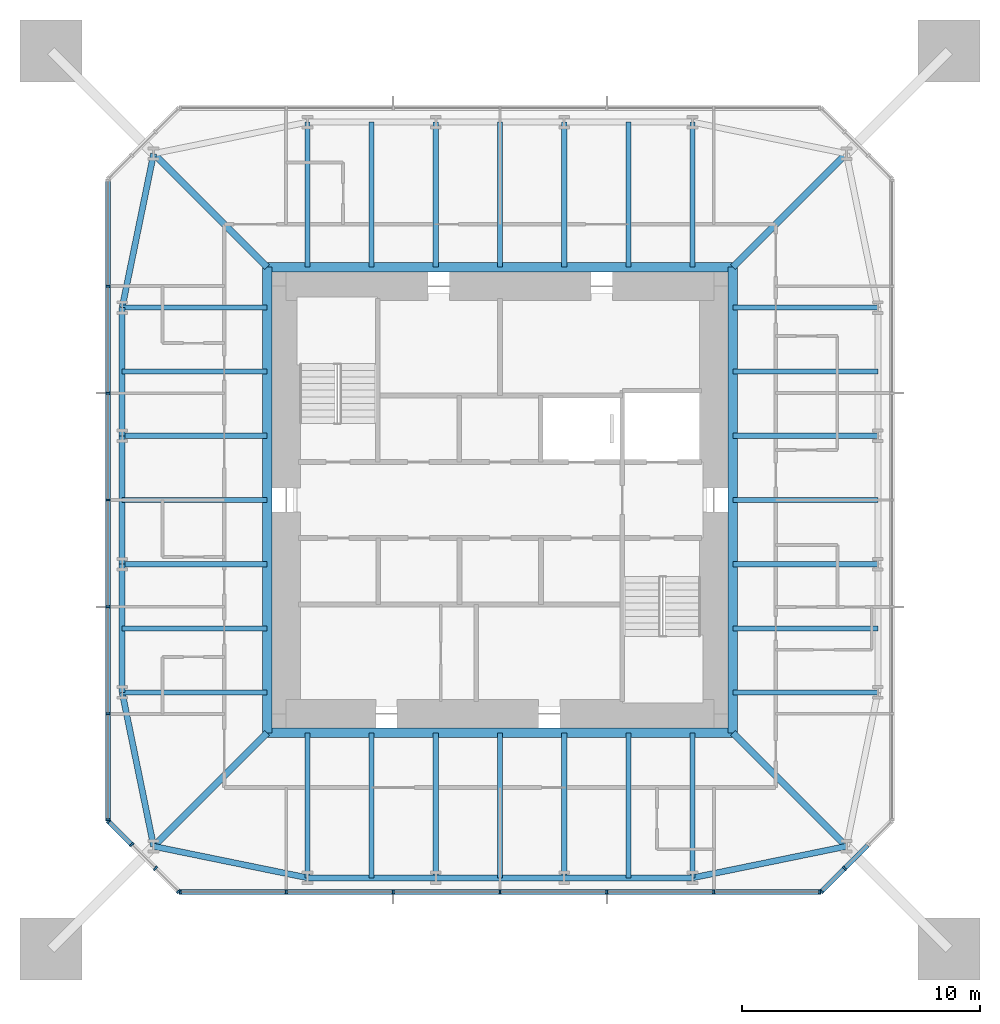
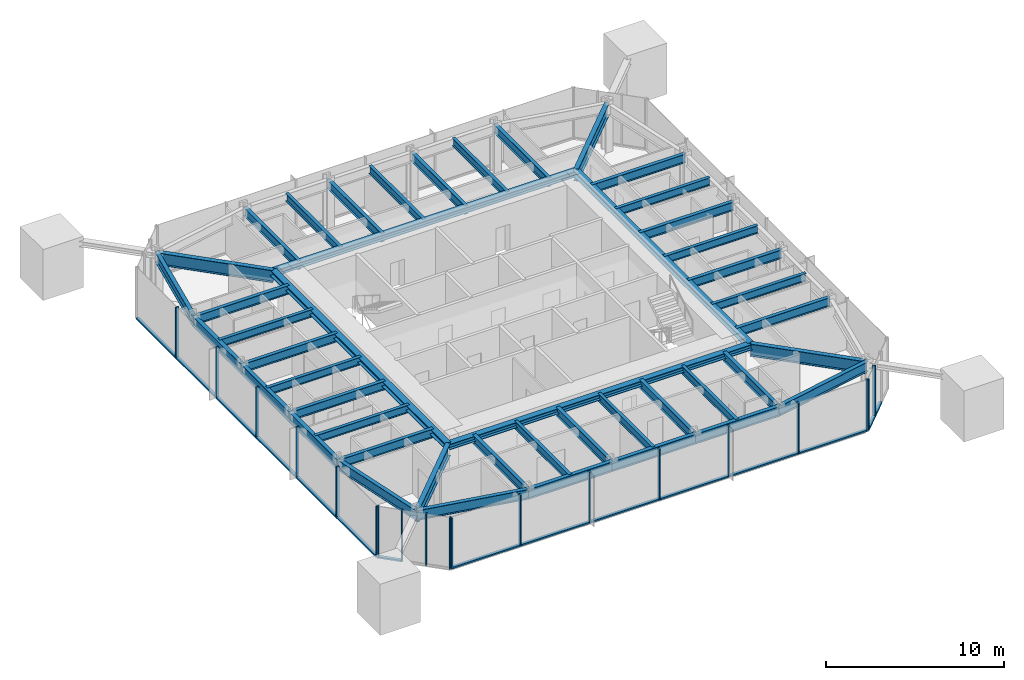
# One storey, part 2 of 9: 46 beams, 34 members, 4 elements without a shape of their own.
"""IFC4 building model written with IfcOpenShell, lengths in metres."""

from ifc_helpers import new_model, si_unit, direction, frame, origin, origin_2d, place, context, subcontext, project, spatial, rectangle, i_section, extrude, material, material_profile, profile_set, type_object, element, aggregate, save


model = new_model("IFC4")

# Units and contexts
model_context = context("Model", 3, precision=1e-05, world=origin(), true_north=direction((0.0, 1.0)))
body_context = subcontext(model_context, "Body", "Model", "MODEL_VIEW")
ifc_project = project(units=[si_unit("LENGTHUNIT", "METRE"), si_unit("AREAUNIT", "SQUARE_METRE"), si_unit("VOLUMEUNIT", "CUBIC_METRE"), si_unit("PLANEANGLEUNIT", "RADIAN"), si_unit("MASSUNIT", "GRAM", prefix="KILO")], contexts=[model_context])

# Site, building, storey
site_placement = place(None, origin())
site = spatial("IfcSite", under=ifc_project, at=site_placement, CompositionType="ELEMENT")
building_placement = place(site_placement, origin())
building = spatial("IfcBuilding", under=site, at=building_placement, Name="Iwan Alto Co-Living Towers", CompositionType="ELEMENT")
storey_placement = place(building_placement, frame((0.0, 0.0, 264.0)))
storey = spatial("IfcBuildingStorey", under=building, at=storey_placement, Name="L72", CompositionType="ELEMENT", Elevation=264.0)

# Curtain wall, members
ifc_material_1 = material(Name="Bronze aluminium unitised frame", Category="aluminium")
curtain_wall_type_1 = type_object("IfcCurtainWallType", Name="CURTAIN WALL CW-A", PredefinedType="NOTDEFINED", material=ifc_material_1)
curtain_wall_1_placement = place(storey_placement, origin())
curtain_wall_1 = element("IfcCurtainWall", 1, at=curtain_wall_1_placement, inside=storey, type_object=curtain_wall_type_1, Name="T1 curtain wall S L72", PredefinedType="NOTDEFINED")
ifc_material_2 = material(Name="Aluminium 6063-T6 bronze anodised", Category="aluminium")
ifc_material_profile_1 = material_profile(ifc_material_2, rectangle(XDim=0.199951171875, YDim=0.080078125, at=origin_2d()), Name="AL 80X200")
ifc_profile_set_1 = profile_set([ifc_material_profile_1], Name="Aluminium 6063-T6 bronze anodised")
member_type_1 = type_object("IfcMemberType", Name="CW-A MULLION 80X200", PredefinedType="MULLION", material=ifc_profile_set_1)
member_1_placement = place(storey_placement, frame((-13.4599609375, -16.5, 0.0), z_axis=(0.0, 0.0, 1.0), x_axis=(0.0, 1.0, 0.0)))
member_1 = element("IfcMember", 2, at=member_1_placement, type_object=member_type_1, Name="CW-A mullion 1", PredefinedType="MULLION", context=body_context, shape_type="SweptSolid", body=[
    extrude(rectangle(XDim=0.199951171875, YDim=0.080078125, at=origin_2d()), origin(), (0.0, 0.0, 1.0), 3.5),
])
member_2_placement = place(storey_placement, frame((-9.0, -16.5, 0.0), z_axis=(0.0, 0.0, 1.0), x_axis=(0.0, 1.0, 0.0)))
member_2 = element("IfcMember", 3, at=member_2_placement, type_object=member_type_1, Name="CW-A mullion 2", PredefinedType="MULLION", context=body_context, shape_type="SweptSolid", body=[
    extrude(rectangle(XDim=0.199951171875, YDim=0.080078125, at=origin_2d()), origin(), (0.0, 0.0, 1.0), 3.5),
])
member_3_placement = place(storey_placement, frame((-4.5, -16.5, 0.0), z_axis=(0.0, 0.0, 1.0), x_axis=(0.0, 1.0, 0.0)))
member_3 = element("IfcMember", 4, at=member_3_placement, type_object=member_type_1, Name="CW-A mullion 3", PredefinedType="MULLION", context=body_context, shape_type="SweptSolid", body=[
    extrude(rectangle(XDim=0.199951171875, YDim=0.080078125, at=origin_2d()), origin(), (0.0, 0.0, 1.0), 3.5),
])
member_4_placement = place(storey_placement, frame((0.0, -16.5, 0.0), z_axis=(0.0, 0.0, 1.0), x_axis=(0.0, 1.0, 0.0)))
member_4 = element("IfcMember", 5, at=member_4_placement, type_object=member_type_1, Name="CW-A mullion 4", PredefinedType="MULLION", context=body_context, shape_type="SweptSolid", body=[
    extrude(rectangle(XDim=0.199951171875, YDim=0.080078125, at=origin_2d()), origin(), (0.0, 0.0, 1.0), 3.5),
])
member_5_placement = place(storey_placement, frame((4.5, -16.5, 0.0), z_axis=(0.0, 0.0, 1.0), x_axis=(0.0, 1.0, 0.0)))
member_5 = element("IfcMember", 6, at=member_5_placement, type_object=member_type_1, Name="CW-A mullion 5", PredefinedType="MULLION", context=body_context, shape_type="SweptSolid", body=[
    extrude(rectangle(XDim=0.199951171875, YDim=0.080078125, at=origin_2d()), origin(), (0.0, 0.0, 1.0), 3.5),
])
member_6_placement = place(storey_placement, frame((9.0, -16.5, 0.0), z_axis=(0.0, 0.0, 1.0), x_axis=(0.0, 1.0, 0.0)))
member_6 = element("IfcMember", 7, at=member_6_placement, type_object=member_type_1, Name="CW-A mullion 6", PredefinedType="MULLION", context=body_context, shape_type="SweptSolid", body=[
    extrude(rectangle(XDim=0.199951171875, YDim=0.080078125, at=origin_2d()), origin(), (0.0, 0.0, 1.0), 3.5),
])
member_7_placement = place(storey_placement, frame((13.4599609375, -16.5, 0.0), z_axis=(0.0, 0.0, 1.0), x_axis=(0.0, 1.0, 0.0)))
member_7 = element("IfcMember", 8, at=member_7_placement, type_object=member_type_1, Name="CW-A mullion 7", PredefinedType="MULLION", context=body_context, shape_type="SweptSolid", body=[
    extrude(rectangle(XDim=0.199951171875, YDim=0.080078125, at=origin_2d()), origin(), (0.0, 0.0, 1.0), 3.5),
])

curtain_wall_2_placement = place(storey_placement, origin())
curtain_wall_2 = element("IfcCurtainWall", 9, at=curtain_wall_2_placement, inside=storey, type_object=curtain_wall_type_1, Name="T1 curtain wall W L72", PredefinedType="NOTDEFINED")
member_8_placement = place(storey_placement, frame((-16.5, 9.0, 0.0), z_axis=(0.0, 0.0, 1.0), x_axis=(1.0, 0.0, 0.0)))
member_8 = element("IfcMember", 10, at=member_8_placement, type_object=member_type_1, Name="CW-A mullion 2", PredefinedType="MULLION", context=body_context, shape_type="SweptSolid", body=[
    extrude(rectangle(XDim=0.199951171875, YDim=0.080078125, at=origin_2d()), origin(), (0.0, 0.0, 1.0), 3.5),
])
member_9_placement = place(storey_placement, frame((-16.5, 4.5, 0.0), z_axis=(0.0, 0.0, 1.0), x_axis=(1.0, 0.0, 0.0)))
member_9 = element("IfcMember", 11, at=member_9_placement, type_object=member_type_1, Name="CW-A mullion 3", PredefinedType="MULLION", context=body_context, shape_type="SweptSolid", body=[
    extrude(rectangle(XDim=0.199951171875, YDim=0.080078125, at=origin_2d()), origin(), (0.0, 0.0, 1.0), 3.5),
])
member_10_placement = place(storey_placement, frame((-16.5, 0.0, 0.0), z_axis=(0.0, 0.0, 1.0), x_axis=(1.0, 0.0, 0.0)))
member_10 = element("IfcMember", 12, at=member_10_placement, type_object=member_type_1, Name="CW-A mullion 4", PredefinedType="MULLION", context=body_context, shape_type="SweptSolid", body=[
    extrude(rectangle(XDim=0.199951171875, YDim=0.080078125, at=origin_2d()), origin(), (0.0, 0.0, 1.0), 3.5),
])
member_11_placement = place(storey_placement, frame((-16.5, -4.5, 0.0), z_axis=(0.0, 0.0, 1.0), x_axis=(1.0, 0.0, 0.0)))
member_11 = element("IfcMember", 13, at=member_11_placement, type_object=member_type_1, Name="CW-A mullion 5", PredefinedType="MULLION", context=body_context, shape_type="SweptSolid", body=[
    extrude(rectangle(XDim=0.199951171875, YDim=0.080078125, at=origin_2d()), origin(), (0.0, 0.0, 1.0), 3.5),
])
member_12_placement = place(storey_placement, frame((-16.5, -9.0, 0.0), z_axis=(0.0, 0.0, 1.0), x_axis=(1.0, 0.0, 0.0)))
member_12 = element("IfcMember", 14, at=member_12_placement, type_object=member_type_1, Name="CW-A mullion 6", PredefinedType="MULLION", context=body_context, shape_type="SweptSolid", body=[
    extrude(rectangle(XDim=0.199951171875, YDim=0.080078125, at=origin_2d()), origin(), (0.0, 0.0, 1.0), 3.5),
])
member_13_placement = place(storey_placement, frame((-16.5, -13.4599609375, 0.0), z_axis=(0.0, 0.0, 1.0), x_axis=(1.0, 0.0, 0.0)))
member_13 = element("IfcMember", 15, at=member_13_placement, type_object=member_type_1, Name="CW-A mullion 7", PredefinedType="MULLION", context=body_context, shape_type="SweptSolid", body=[
    extrude(rectangle(XDim=0.199951171875, YDim=0.080078125, at=origin_2d()), origin(), (0.0, 0.0, 1.0), 3.5),
])

# Member
ifc_material_3 = material(Name="Aluminium 6063-T6 bronze anodised", Category="aluminium")
ifc_material_profile_2 = material_profile(ifc_material_3, rectangle(XDim=0.199951171875, YDim=0.10009765625, at=origin_2d()), Name="AL 200X100")
ifc_profile_set_2 = profile_set([ifc_material_profile_2], Name="Aluminium 6063-T6 bronze anodised")
member_type_2 = type_object("IfcMemberType", Name="CW-A TRANSOM 200X100", PredefinedType="USERDEFINED", material=ifc_profile_set_2)
member_14_placement = place(storey_placement, frame((-13.419921875, -16.5, 0.050048828125), z_axis=(1.0, 0.0, 0.0), x_axis=(0.0, 1.0, 0.0)))
member_14 = element("IfcMember", 16, at=member_14_placement, type_object=member_type_2, Name="CW-A transom 1.1", ObjectType="TRANSOM", PredefinedType="USERDEFINED", context=body_context, shape_type="SweptSolid", body=[
    extrude(rectangle(XDim=0.199951171875, YDim=0.10009765625, at=origin_2d()), origin(), (0.0, 0.0, 1.0), 4.3798828125),
])

member_15_placement = place(storey_placement, frame((-8.9599609375, -16.5, 0.050048828125), z_axis=(1.0, 0.0, 0.0), x_axis=(0.0, 1.0, 0.0)))
member_15 = element("IfcMember", 17, at=member_15_placement, type_object=member_type_2, Name="CW-A transom 2.1", ObjectType="TRANSOM", PredefinedType="USERDEFINED", context=body_context, shape_type="SweptSolid", body=[
    extrude(rectangle(XDim=0.199951171875, YDim=0.10009765625, at=origin_2d()), origin(), (0.0, 0.0, 1.0), 4.419921875),
])

member_16_placement = place(storey_placement, frame((-4.4599609375, -16.5, 0.050048828125), z_axis=(1.0, 0.0, 0.0), x_axis=(0.0, 1.0, 0.0)))
member_16 = element("IfcMember", 18, at=member_16_placement, type_object=member_type_2, Name="CW-A transom 3.1", ObjectType="TRANSOM", PredefinedType="USERDEFINED", context=body_context, shape_type="SweptSolid", body=[
    extrude(rectangle(XDim=0.199951171875, YDim=0.10009765625, at=origin_2d()), origin(), (0.0, 0.0, 1.0), 4.419921875),
])

member_17_placement = place(storey_placement, frame((0.0400390625, -16.5, 0.050048828125), z_axis=(1.0, 0.0, 0.0), x_axis=(0.0, 1.0, 0.0)))
member_17 = element("IfcMember", 19, at=member_17_placement, type_object=member_type_2, Name="CW-A transom 4.1", ObjectType="TRANSOM", PredefinedType="USERDEFINED", context=body_context, shape_type="SweptSolid", body=[
    extrude(rectangle(XDim=0.199951171875, YDim=0.10009765625, at=origin_2d()), origin(), (0.0, 0.0, 1.0), 4.419921875),
])

member_18_placement = place(storey_placement, frame((4.5400390625, -16.5, 0.050048828125), z_axis=(1.0, 0.0, 0.0), x_axis=(0.0, 1.0, 0.0)))
member_18 = element("IfcMember", 20, at=member_18_placement, type_object=member_type_2, Name="CW-A transom 5.1", ObjectType="TRANSOM", PredefinedType="USERDEFINED", context=body_context, shape_type="SweptSolid", body=[
    extrude(rectangle(XDim=0.199951171875, YDim=0.10009765625, at=origin_2d()), origin(), (0.0, 0.0, 1.0), 4.419921875),
])

member_19_placement = place(storey_placement, frame((9.0400390625, -16.5, 0.050048828125), z_axis=(1.0, 0.0, 0.0), x_axis=(0.0, 1.0, 0.0)))
member_19 = element("IfcMember", 21, at=member_19_placement, type_object=member_type_2, Name="CW-A transom 6.1", ObjectType="TRANSOM", PredefinedType="USERDEFINED", context=body_context, shape_type="SweptSolid", body=[
    extrude(rectangle(XDim=0.199951171875, YDim=0.10009765625, at=origin_2d()), origin(), (0.0, 0.0, 1.0), 4.3798828125),
])

aggregate(curtain_wall_1, [member_1, member_2, member_3, member_4, member_5, member_6, member_7, member_14, member_15, member_16, member_17, member_18, member_19])

member_20_placement = place(storey_placement, frame((-16.5, 13.419921875, 0.050048828125), z_axis=(0.0, -1.0, 0.0), x_axis=(1.0, 0.0, 0.0)))
member_20 = element("IfcMember", 22, at=member_20_placement, type_object=member_type_2, Name="CW-A transom 1.1", ObjectType="TRANSOM", PredefinedType="USERDEFINED", context=body_context, shape_type="SweptSolid", body=[
    extrude(rectangle(XDim=0.199951171875, YDim=0.10009765625, at=origin_2d()), origin(), (0.0, 0.0, 1.0), 4.3798828125),
])

member_21_placement = place(storey_placement, frame((-16.5, 8.9599609375, 0.050048828125), z_axis=(0.0, -1.0, 0.0), x_axis=(1.0, 0.0, 0.0)))
member_21 = element("IfcMember", 23, at=member_21_placement, type_object=member_type_2, Name="CW-A transom 2.1", ObjectType="TRANSOM", PredefinedType="USERDEFINED", context=body_context, shape_type="SweptSolid", body=[
    extrude(rectangle(XDim=0.199951171875, YDim=0.10009765625, at=origin_2d()), origin(), (0.0, 0.0, 1.0), 4.419921875),
])

member_22_placement = place(storey_placement, frame((-16.5, 4.4599609375, 0.050048828125), z_axis=(0.0, -1.0, 0.0), x_axis=(1.0, 0.0, 0.0)))
member_22 = element("IfcMember", 24, at=member_22_placement, type_object=member_type_2, Name="CW-A transom 3.1", ObjectType="TRANSOM", PredefinedType="USERDEFINED", context=body_context, shape_type="SweptSolid", body=[
    extrude(rectangle(XDim=0.199951171875, YDim=0.10009765625, at=origin_2d()), origin(), (0.0, 0.0, 1.0), 4.419921875),
])

member_23_placement = place(storey_placement, frame((-16.5, -0.0400390625, 0.050048828125), z_axis=(0.0, -1.0, 0.0), x_axis=(1.0, 0.0, 0.0)))
member_23 = element("IfcMember", 25, at=member_23_placement, type_object=member_type_2, Name="CW-A transom 4.1", ObjectType="TRANSOM", PredefinedType="USERDEFINED", context=body_context, shape_type="SweptSolid", body=[
    extrude(rectangle(XDim=0.199951171875, YDim=0.10009765625, at=origin_2d()), origin(), (0.0, 0.0, 1.0), 4.419921875),
])

member_24_placement = place(storey_placement, frame((-16.5, -4.5400390625, 0.050048828125), z_axis=(0.0, -1.0, 0.0), x_axis=(1.0, 0.0, 0.0)))
member_24 = element("IfcMember", 26, at=member_24_placement, type_object=member_type_2, Name="CW-A transom 5.1", ObjectType="TRANSOM", PredefinedType="USERDEFINED", context=body_context, shape_type="SweptSolid", body=[
    extrude(rectangle(XDim=0.199951171875, YDim=0.10009765625, at=origin_2d()), origin(), (0.0, 0.0, 1.0), 4.419921875),
])

member_25_placement = place(storey_placement, frame((-16.5, -9.0400390625, 0.050048828125), z_axis=(0.0, -1.0, 0.0), x_axis=(1.0, 0.0, 0.0)))
member_25 = element("IfcMember", 27, at=member_25_placement, type_object=member_type_2, Name="CW-A transom 6.1", ObjectType="TRANSOM", PredefinedType="USERDEFINED", context=body_context, shape_type="SweptSolid", body=[
    extrude(rectangle(XDim=0.199951171875, YDim=0.10009765625, at=origin_2d()), origin(), (0.0, 0.0, 1.0), 4.3798828125),
])

aggregate(curtain_wall_2, [member_8, member_9, member_10, member_11, member_12, member_13, member_20, member_21, member_22, member_23, member_24, member_25])

# Curtain wall, members
ifc_material_4 = material(Name="Bronze aluminium unitised frame", Category="aluminium")
curtain_wall_type_2 = type_object("IfcCurtainWallType", Name="CURTAIN WALL CW-B", PredefinedType="NOTDEFINED", material=ifc_material_4)
curtain_wall_3_placement = place(storey_placement, origin())
curtain_wall_3 = element("IfcCurtainWall", 28, at=curtain_wall_3_placement, inside=storey, type_object=curtain_wall_type_2, Name="T1 chamfer curtain wall SE L72", PredefinedType="NOTDEFINED")
ifc_material_5 = material(Name="Aluminium 6063-T6 bronze anodised", Category="aluminium")
ifc_material_profile_3 = material_profile(ifc_material_5, rectangle(XDim=0.199951171875, YDim=0.080078125, at=origin_2d()), Name="AL 80X200")
ifc_profile_set_3 = profile_set([ifc_material_profile_3], Name="Aluminium 6063-T6 bronze anodised")
member_type_3 = type_object("IfcMemberType", Name="CW-B MULLION 80X200", PredefinedType="MULLION", material=ifc_profile_set_3)
member_26_placement = place(storey_placement, frame((13.5283203125, -16.4716796875, 0.0), z_axis=(0.0, 0.0, 1.0), x_axis=(-0.707106781187, 0.707106781187, 0.0)))
member_26 = element("IfcMember", 29, at=member_26_placement, type_object=member_type_3, Name="CW-B mullion 1", PredefinedType="MULLION", context=body_context, shape_type="SweptSolid", body=[
    extrude(rectangle(XDim=0.199951171875, YDim=0.080078125, at=origin_2d()), origin(), (0.0, 0.0, 1.0), 3.5),
])
member_27_placement = place(storey_placement, frame((14.5, -15.5, 0.0), z_axis=(0.0, 0.0, 1.0), x_axis=(-0.707106781187, 0.707106781187, 0.0)))
member_27 = element("IfcMember", 30, at=member_27_placement, type_object=member_type_3, Name="CW-B mullion 2", PredefinedType="MULLION", context=body_context, shape_type="SweptSolid", body=[
    extrude(rectangle(XDim=0.199951171875, YDim=0.080078125, at=origin_2d()), origin(), (0.0, 0.0, 1.0), 3.5),
])

curtain_wall_4_placement = place(storey_placement, origin())
curtain_wall_4 = element("IfcCurtainWall", 31, at=curtain_wall_4_placement, inside=storey, type_object=curtain_wall_type_2, Name="T1 chamfer curtain wall SW L72", PredefinedType="NOTDEFINED")
member_28_placement = place(storey_placement, frame((-16.4716796875, -13.5283203125, 0.0), z_axis=(0.0, 0.0, 1.0), x_axis=(0.707106781187, 0.707106781187, 0.0)))
member_28 = element("IfcMember", 32, at=member_28_placement, type_object=member_type_3, Name="CW-B mullion 1", PredefinedType="MULLION", context=body_context, shape_type="SweptSolid", body=[
    extrude(rectangle(XDim=0.199951171875, YDim=0.080078125, at=origin_2d()), origin(), (0.0, 0.0, 1.0), 3.5),
])
member_29_placement = place(storey_placement, frame((-15.5, -14.5, 0.0), z_axis=(0.0, 0.0, 1.0), x_axis=(0.707106781187, 0.707106781187, 0.0)))
member_29 = element("IfcMember", 33, at=member_29_placement, type_object=member_type_3, Name="CW-B mullion 2", PredefinedType="MULLION", context=body_context, shape_type="SweptSolid", body=[
    extrude(rectangle(XDim=0.199951171875, YDim=0.080078125, at=origin_2d()), origin(), (0.0, 0.0, 1.0), 3.5),
])
member_30_placement = place(storey_placement, frame((-14.5, -15.5, 0.0), z_axis=(0.0, 0.0, 1.0), x_axis=(0.707106781187, 0.707106781187, 0.0)))
member_30 = element("IfcMember", 34, at=member_30_placement, type_object=member_type_3, Name="CW-B mullion 3", PredefinedType="MULLION", context=body_context, shape_type="SweptSolid", body=[
    extrude(rectangle(XDim=0.199951171875, YDim=0.080078125, at=origin_2d()), origin(), (0.0, 0.0, 1.0), 3.5),
])
member_31_placement = place(storey_placement, frame((-13.5283203125, -16.4716796875, 0.0), z_axis=(0.0, 0.0, 1.0), x_axis=(0.707106781187, 0.707106781187, 0.0)))
member_31 = element("IfcMember", 35, at=member_31_placement, type_object=member_type_3, Name="CW-B mullion 4", PredefinedType="MULLION", context=body_context, shape_type="SweptSolid", body=[
    extrude(rectangle(XDim=0.199951171875, YDim=0.080078125, at=origin_2d()), origin(), (0.0, 0.0, 1.0), 3.5),
])

# Member
ifc_material_6 = material(Name="Aluminium 6063-T6 bronze anodised", Category="aluminium")
ifc_material_profile_4 = material_profile(ifc_material_6, rectangle(XDim=0.199951171875, YDim=0.10009765625, at=origin_2d()), Name="AL 200X100")
ifc_profile_set_4 = profile_set([ifc_material_profile_4], Name="Aluminium 6063-T6 bronze anodised")
member_type_4 = type_object("IfcMemberType", Name="CW-B TRANSOM 200X100", PredefinedType="USERDEFINED", material=ifc_profile_set_4)
member_32_placement = place(storey_placement, frame((13.556640625, -16.443359375, 0.050048828125), z_axis=(0.707106781187, 0.707106781187, 0.0), x_axis=(-0.707106781187, 0.707106781187, 0.0)))
member_32 = element("IfcMember", 36, at=member_32_placement, type_object=member_type_4, Name="CW-B transom 1.1", ObjectType="TRANSOM", PredefinedType="USERDEFINED", context=body_context, shape_type="SweptSolid", body=[
    extrude(rectangle(XDim=0.199951171875, YDim=0.10009765625, at=origin_2d()), origin(), (0.0, 0.0, 1.0), 1.2939453125),
])

member_33_placement = place(storey_placement, frame((14.5283203125, -15.4716796875, 0.050048828125), z_axis=(0.707106781187, 0.707106781187, 0.0), x_axis=(-0.707106781187, 0.707106781187, 0.0)))
member_33 = element("IfcMember", 37, at=member_33_placement, type_object=member_type_4, Name="CW-B transom 2.1", ObjectType="TRANSOM", PredefinedType="USERDEFINED", context=body_context, shape_type="SweptSolid", body=[
    extrude(rectangle(XDim=0.199951171875, YDim=0.10009765625, at=origin_2d()), origin(), (0.0, 0.0, 1.0), 1.334228515625),
])

aggregate(curtain_wall_3, [member_26, member_27, member_32, member_33])

member_34_placement = place(storey_placement, frame((-16.443359375, -13.556640625, 0.050048828125), z_axis=(0.707106781187, -0.707106781187, 0.0), x_axis=(0.707106781187, 0.707106781187, 0.0)))
member_34 = element("IfcMember", 38, at=member_34_placement, type_object=member_type_4, Name="CW-B transom 1.1", ObjectType="TRANSOM", PredefinedType="USERDEFINED", context=body_context, shape_type="SweptSolid", body=[
    extrude(rectangle(XDim=0.199951171875, YDim=0.10009765625, at=origin_2d()), origin(), (0.0, 0.0, 1.0), 1.2939453125),
])

aggregate(curtain_wall_4, [member_28, member_29, member_30, member_31, member_34])

# Beams
ifc_material_7 = material(Name="Steel ASTM A992 Gr 50", Category="steel")
ifc_material_profile_5 = material_profile(ifc_material_7, i_section(OverallWidth=0.398681640625, OverallDepth=0.385986328125, WebThickness=0.02099609375, FlangeThickness=0.033203125, at=origin_2d()), Name="W14X176")
ifc_profile_set_5 = profile_set([ifc_material_profile_5], Name="Steel ASTM A992 Gr 50")
beam_type_1 = type_object("IfcBeamType", Name="T1 CORE LEDGER BEAM W14X176", PredefinedType="BEAM", material=ifc_profile_set_5)
for number, where, z_axis, x_axis, name in (
    (39, (-9.79931640625, -9.79931640625, 3.056884765625), (1.0, 0.0, 0.0), (0.0, 1.0, 0.0), "T1 core ledger beam S RF"),
    (40, (9.79931640625, -9.79931640625, 3.056884765625), (0.0, 1.0, 0.0), (-1.0, 0.0, 0.0), "T1 core ledger beam E RF"),
    (41, (9.79931640625, 9.79931640625, 3.056884765625), (-1.0, 0.0, 0.0), (0.0, -1.0, 0.0), "T1 core ledger beam N RF"),
    (42, (-9.79931640625, 9.79931640625, 3.056884765625), (0.0, -1.0, 0.0), (1.0, 0.0, 0.0), "T1 core ledger beam W RF"),
):
    element("IfcBeam", number, at=place(storey_placement, frame(where, z_axis=z_axis, x_axis=x_axis)), inside=storey, type_object=beam_type_1, Name=name, PredefinedType="BEAM", context=body_context, shape_type="SweptSolid", body=[
        extrude(i_section(OverallWidth=0.398681640625, OverallDepth=0.385986328125, WebThickness=0.02099609375, FlangeThickness=0.033203125, at=origin_2d()), origin(), (0.0, 0.0, 1.0), 19.5986328125),
    ])
ifc_material_8 = material(Name="Steel ASTM A992 Gr 50", Category="steel")
ifc_material_profile_6 = material_profile(ifc_material_8, i_section(OverallWidth=0.2919921875, OverallDepth=0.8408203125, WebThickness=0.0146484375, FlangeThickness=0.021728515625, at=origin_2d()), Name="W33X130")
ifc_profile_set_6 = profile_set([ifc_material_profile_6], Name="Steel ASTM A992 Gr 50")
beam_type_2 = type_object("IfcBeamType", Name="T1 CORNER GIRDER W33X130", PredefinedType="BEAM", material=ifc_profile_set_6)
for number, where, z_axis, x_axis, name in (
    (43, (-14.57568359375, -14.57568359375, 2.82958984375), (0.707106781187, 0.707106781187, 0.0), (-0.707106781187, 0.707106781187, 0.0), "T1 corner girder CSW RF"),
    (44, (14.57568359375, -14.57568359375, 2.82958984375), (-0.707106781187, 0.707106781187, 0.0), (-0.707106781187, -0.707106781187, 0.0), "T1 corner girder CSE RF"),
    (45, (14.57568359375, 14.57568359375, 2.82958984375), (-0.707106781187, -0.707106781187, 0.0), (0.707106781187, -0.707106781187, 0.0), "T1 corner girder CNE RF"),
    (46, (-14.57568359375, 14.57568359375, 2.82958984375), (0.707106781187, -0.707106781187, 0.0), (0.707106781187, 0.707106781187, 0.0), "T1 corner girder CNW RF"),
):
    element("IfcBeam", number, at=place(storey_placement, frame(where, z_axis=z_axis, x_axis=x_axis)), inside=storey, type_object=beam_type_2, Name=name, PredefinedType="BEAM", context=body_context, shape_type="SweptSolid", body=[
        extrude(i_section(OverallWidth=0.2919921875, OverallDepth=0.8408203125, WebThickness=0.0146484375, FlangeThickness=0.021728515625, at=origin_2d()), origin(), (0.0, 0.0, 1.0), 6.7548828125),
    ])
ifc_material_9 = material(Name="Steel ASTM A992 Gr 50", Category="steel")
ifc_material_profile_7 = material_profile(ifc_material_9, i_section(OverallWidth=0.25390625, OverallDepth=0.683349609375, WebThickness=0.012451171875, FlangeThickness=0.018798828125, at=origin_2d()), Name="W27X94")
ifc_profile_set_7 = profile_set([ifc_material_profile_7], Name="Steel ASTM A992 Gr 50")
beam_type_3 = type_object("IfcBeamType", Name="T1 EDGE BEAM W27X94", PredefinedType="BEAM", material=ifc_profile_set_7)
beam_1_placement = place(storey_placement, frame((-14.57568359375, -14.57568359375, 2.908447265625), z_axis=(0.979724820103, -0.200347889618, 0.0), x_axis=(0.200347889618, 0.979724820103, 0.0)))
element("IfcBeam", 47, at=beam_1_placement, inside=storey, type_object=beam_type_3, Name="T1 edge beam CSW RF", PredefinedType="BEAM", context=body_context, shape_type="SweptSolid", body=[
    extrude(i_section(OverallWidth=0.25390625, OverallDepth=0.683349609375, WebThickness=0.012451171875, FlangeThickness=0.018798828125, at=origin_2d()), origin(), (0.0, 0.0, 1.0), 6.609619140625),
])
beam_2_placement = place(storey_placement, frame((-8.10009765625, -15.89990234375, 2.908447265625), z_axis=(1.0, 0.0, 0.0), x_axis=(0.0, 1.0, 0.0)))
element("IfcBeam", 48, at=beam_2_placement, inside=storey, type_object=beam_type_3, Name="T1 edge beam S1 RF", PredefinedType="BEAM", context=body_context, shape_type="SweptSolid", body=[
    extrude(i_section(OverallWidth=0.25390625, OverallDepth=0.683349609375, WebThickness=0.012451171875, FlangeThickness=0.018798828125, at=origin_2d()), origin(), (0.0, 0.0, 1.0), 5.400146484375),
])
beam_3_placement = place(storey_placement, frame((-2.699951171875, -15.89990234375, 2.908447265625), z_axis=(1.0, 0.0, 0.0), x_axis=(0.0, 1.0, 0.0)))
element("IfcBeam", 49, at=beam_3_placement, inside=storey, type_object=beam_type_3, Name="T1 edge beam S2 RF", PredefinedType="BEAM", context=body_context, shape_type="SweptSolid", body=[
    extrude(i_section(OverallWidth=0.25390625, OverallDepth=0.683349609375, WebThickness=0.012451171875, FlangeThickness=0.018798828125, at=origin_2d()), origin(), (0.0, 0.0, 1.0), 5.39990234375),
])
beam_4_placement = place(storey_placement, frame((2.699951171875, -15.89990234375, 2.908447265625), z_axis=(1.0, 0.0, 0.0), x_axis=(0.0, 1.0, 0.0)))
element("IfcBeam", 50, at=beam_4_placement, inside=storey, type_object=beam_type_3, Name="T1 edge beam S3 RF", PredefinedType="BEAM", context=body_context, shape_type="SweptSolid", body=[
    extrude(i_section(OverallWidth=0.25390625, OverallDepth=0.683349609375, WebThickness=0.012451171875, FlangeThickness=0.018798828125, at=origin_2d()), origin(), (0.0, 0.0, 1.0), 5.400146484375),
])
for number, where, z_axis, x_axis, name in (
    (51, (8.10009765625, -15.89990234375, 2.908447265625), (0.979724820103, 0.200347889618, 0.0), (-0.200347889618, 0.979724820103, 0.0), "T1 edge beam S4 RF"),
    (52, (-14.57568359375, 14.57568359375, 2.908447265625), (-0.200347889618, -0.979724820103, 0.0), (0.979724820103, -0.200347889618, 0.0), "T1 edge beam CNW RF"),
):
    element("IfcBeam", number, at=place(storey_placement, frame(where, z_axis=z_axis, x_axis=x_axis)), inside=storey, type_object=beam_type_3, Name=name, PredefinedType="BEAM", context=body_context, shape_type="SweptSolid", body=[
        extrude(i_section(OverallWidth=0.25390625, OverallDepth=0.683349609375, WebThickness=0.012451171875, FlangeThickness=0.018798828125, at=origin_2d()), origin(), (0.0, 0.0, 1.0), 6.609619140625),
    ])
beam_5_placement = place(storey_placement, frame((-15.89990234375, 8.10009765625, 2.908447265625), z_axis=(0.0, -1.0, 0.0), x_axis=(1.0, 0.0, 0.0)))
element("IfcBeam", 53, at=beam_5_placement, inside=storey, type_object=beam_type_3, Name="T1 edge beam W1 RF", PredefinedType="BEAM", context=body_context, shape_type="SweptSolid", body=[
    extrude(i_section(OverallWidth=0.25390625, OverallDepth=0.683349609375, WebThickness=0.012451171875, FlangeThickness=0.018798828125, at=origin_2d()), origin(), (0.0, 0.0, 1.0), 5.400146484375),
])
beam_6_placement = place(storey_placement, frame((-15.89990234375, 2.699951171875, 2.908447265625), z_axis=(0.0, -1.0, 0.0), x_axis=(1.0, 0.0, 0.0)))
element("IfcBeam", 54, at=beam_6_placement, inside=storey, type_object=beam_type_3, Name="T1 edge beam W2 RF", PredefinedType="BEAM", context=body_context, shape_type="SweptSolid", body=[
    extrude(i_section(OverallWidth=0.25390625, OverallDepth=0.683349609375, WebThickness=0.012451171875, FlangeThickness=0.018798828125, at=origin_2d()), origin(), (0.0, 0.0, 1.0), 5.39990234375),
])
beam_7_placement = place(storey_placement, frame((-15.89990234375, -2.699951171875, 2.908447265625), z_axis=(0.0, -1.0, 0.0), x_axis=(1.0, 0.0, 0.0)))
element("IfcBeam", 55, at=beam_7_placement, inside=storey, type_object=beam_type_3, Name="T1 edge beam W3 RF", PredefinedType="BEAM", context=body_context, shape_type="SweptSolid", body=[
    extrude(i_section(OverallWidth=0.25390625, OverallDepth=0.683349609375, WebThickness=0.012451171875, FlangeThickness=0.018798828125, at=origin_2d()), origin(), (0.0, 0.0, 1.0), 5.400146484375),
])
beam_8_placement = place(storey_placement, frame((-15.89990234375, -8.10009765625, 2.908447265625), z_axis=(0.200347889618, -0.979724820103, 0.0), x_axis=(0.979724820103, 0.200347889618, 0.0)))
element("IfcBeam", 56, at=beam_8_placement, inside=storey, type_object=beam_type_3, Name="T1 edge beam W4 RF", PredefinedType="BEAM", context=body_context, shape_type="SweptSolid", body=[
    extrude(i_section(OverallWidth=0.25390625, OverallDepth=0.683349609375, WebThickness=0.012451171875, FlangeThickness=0.018798828125, at=origin_2d()), origin(), (0.0, 0.0, 1.0), 6.609619140625),
])
ifc_material_10 = material(Name="Steel ASTM A992 Gr 50", Category="steel")
ifc_material_profile_8 = material_profile(ifc_material_10, i_section(OverallWidth=0.228271484375, OverallDepth=0.607177734375, WebThickness=0.01123046875, FlangeThickness=0.017333984375, at=origin_2d()), Name="W24X76")
ifc_profile_set_8 = profile_set([ifc_material_profile_8], Name="Steel ASTM A992 Gr 50")
beam_type_4 = type_object("IfcBeamType", Name="T1 RADIAL BEAM W24X76", PredefinedType="BEAM", material=ifc_profile_set_8)
for number, where, z_axis, x_axis, name in (
    (57, (-8.10009765625, -15.89990234375, 2.946533203125), (0.0, 1.0, 0.0), (-1.0, 0.0, 0.0), "T1 radial beam S1 RF"),
    (58, (-2.699951171875, -15.89990234375, 2.946533203125), (0.0, 1.0, 0.0), (-1.0, 0.0, 0.0), "T1 radial beam S2 RF"),
    (59, (2.699951171875, -15.89990234375, 2.946533203125), (0.0, 1.0, 0.0), (-1.0, 0.0, 0.0), "T1 radial beam S3 RF"),
    (60, (8.10009765625, -15.89990234375, 2.946533203125), (0.0, 1.0, 0.0), (-1.0, 0.0, 0.0), "T1 radial beam S4 RF"),
    (61, (15.89990234375, -8.10009765625, 2.946533203125), (-1.0, 0.0, 0.0), (0.0, -1.0, 0.0), "T1 radial beam E1 RF"),
    (62, (15.89990234375, -2.699951171875, 2.946533203125), (-1.0, 0.0, 0.0), (0.0, -1.0, 0.0), "T1 radial beam E2 RF"),
    (63, (15.89990234375, 2.699951171875, 2.946533203125), (-1.0, 0.0, 0.0), (0.0, -1.0, 0.0), "T1 radial beam E3 RF"),
    (64, (15.89990234375, 8.10009765625, 2.946533203125), (-1.0, 0.0, 0.0), (0.0, -1.0, 0.0), "T1 radial beam E4 RF"),
    (65, (8.10009765625, 15.89990234375, 2.946533203125), (0.0, -1.0, 0.0), (1.0, 0.0, 0.0), "T1 radial beam N1 RF"),
    (66, (2.699951171875, 15.89990234375, 2.946533203125), (0.0, -1.0, 0.0), (1.0, 0.0, 0.0), "T1 radial beam N2 RF"),
    (67, (-2.699951171875, 15.89990234375, 2.946533203125), (0.0, -1.0, 0.0), (1.0, 0.0, 0.0), "T1 radial beam N3 RF"),
    (68, (-8.10009765625, 15.89990234375, 2.946533203125), (0.0, -1.0, 0.0), (1.0, 0.0, 0.0), "T1 radial beam N4 RF"),
    (69, (-15.89990234375, 8.10009765625, 2.946533203125), (1.0, 0.0, 0.0), (0.0, 1.0, 0.0), "T1 radial beam W1 RF"),
    (70, (-15.89990234375, 2.699951171875, 2.946533203125), (1.0, 0.0, 0.0), (0.0, 1.0, 0.0), "T1 radial beam W2 RF"),
    (71, (-15.89990234375, -2.699951171875, 2.946533203125), (1.0, 0.0, 0.0), (0.0, 1.0, 0.0), "T1 radial beam W3 RF"),
    (72, (-15.89990234375, -8.10009765625, 2.946533203125), (1.0, 0.0, 0.0), (0.0, 1.0, 0.0), "T1 radial beam W4 RF"),
):
    element("IfcBeam", number, at=place(storey_placement, frame(where, z_axis=z_axis, x_axis=x_axis)), inside=storey, type_object=beam_type_4, Name=name, PredefinedType="BEAM", context=body_context, shape_type="SweptSolid", body=[
        extrude(i_section(OverallWidth=0.228271484375, OverallDepth=0.607177734375, WebThickness=0.01123046875, FlangeThickness=0.017333984375, at=origin_2d()), origin(), (0.0, 0.0, 1.0), 6.1005859375),
    ])
ifc_material_11 = material(Name="Steel ASTM A992 Gr 50", Category="steel")
ifc_material_profile_9 = material_profile(ifc_material_11, i_section(OverallWidth=0.209228515625, OverallDepth=0.533447265625, WebThickness=0.01025390625, FlangeThickness=0.015625, at=origin_2d()), Name="W21X62")
ifc_profile_set_9 = profile_set([ifc_material_profile_9], Name="Steel ASTM A992 Gr 50")
beam_type_5 = type_object("IfcBeamType", Name="T1 SECONDARY BEAM W21X62", PredefinedType="JOIST", material=ifc_profile_set_9)
for number, where, z_axis, x_axis, name in (
    (73, (-5.39990234375, -15.89990234375, 2.9833984375), (0.0, 1.0, 0.0), (-1.0, 0.0, 0.0), "T1 secondary beam S1 RF"),
    (74, (0.0, -15.89990234375, 2.9833984375), (0.0, 1.0, 0.0), (-1.0, 0.0, 0.0), "T1 secondary beam S2 RF"),
    (75, (5.39990234375, -15.89990234375, 2.9833984375), (0.0, 1.0, 0.0), (-1.0, 0.0, 0.0), "T1 secondary beam S3 RF"),
    (76, (15.89990234375, -5.39990234375, 2.9833984375), (-1.0, 0.0, 0.0), (0.0, -1.0, 0.0), "T1 secondary beam E1 RF"),
    (77, (15.89990234375, 0.0, 2.9833984375), (-1.0, 0.0, 0.0), (0.0, -1.0, 0.0), "T1 secondary beam E2 RF"),
    (78, (15.89990234375, 5.39990234375, 2.9833984375), (-1.0, 0.0, 0.0), (0.0, -1.0, 0.0), "T1 secondary beam E3 RF"),
    (79, (5.39990234375, 15.89990234375, 2.9833984375), (0.0, -1.0, 0.0), (1.0, 0.0, 0.0), "T1 secondary beam N1 RF"),
    (80, (0.0, 15.89990234375, 2.9833984375), (0.0, -1.0, 0.0), (1.0, 0.0, 0.0), "T1 secondary beam N2 RF"),
    (81, (-5.39990234375, 15.89990234375, 2.9833984375), (0.0, -1.0, 0.0), (1.0, 0.0, 0.0), "T1 secondary beam N3 RF"),
    (82, (-15.89990234375, 5.39990234375, 2.9833984375), (1.0, 0.0, 0.0), (0.0, 1.0, 0.0), "T1 secondary beam W1 RF"),
    (83, (-15.89990234375, 0.0, 2.9833984375), (1.0, 0.0, 0.0), (0.0, 1.0, 0.0), "T1 secondary beam W2 RF"),
    (84, (-15.89990234375, -5.39990234375, 2.9833984375), (1.0, 0.0, 0.0), (0.0, 1.0, 0.0), "T1 secondary beam W3 RF"),
):
    element("IfcBeam", number, at=place(storey_placement, frame(where, z_axis=z_axis, x_axis=x_axis)), inside=storey, type_object=beam_type_5, Name=name, PredefinedType="JOIST", context=body_context, shape_type="SweptSolid", body=[
        extrude(i_section(OverallWidth=0.209228515625, OverallDepth=0.533447265625, WebThickness=0.01025390625, FlangeThickness=0.015625, at=origin_2d()), origin(), (0.0, 0.0, 1.0), 6.1005859375),
    ])

save(model, "model.ifc")
